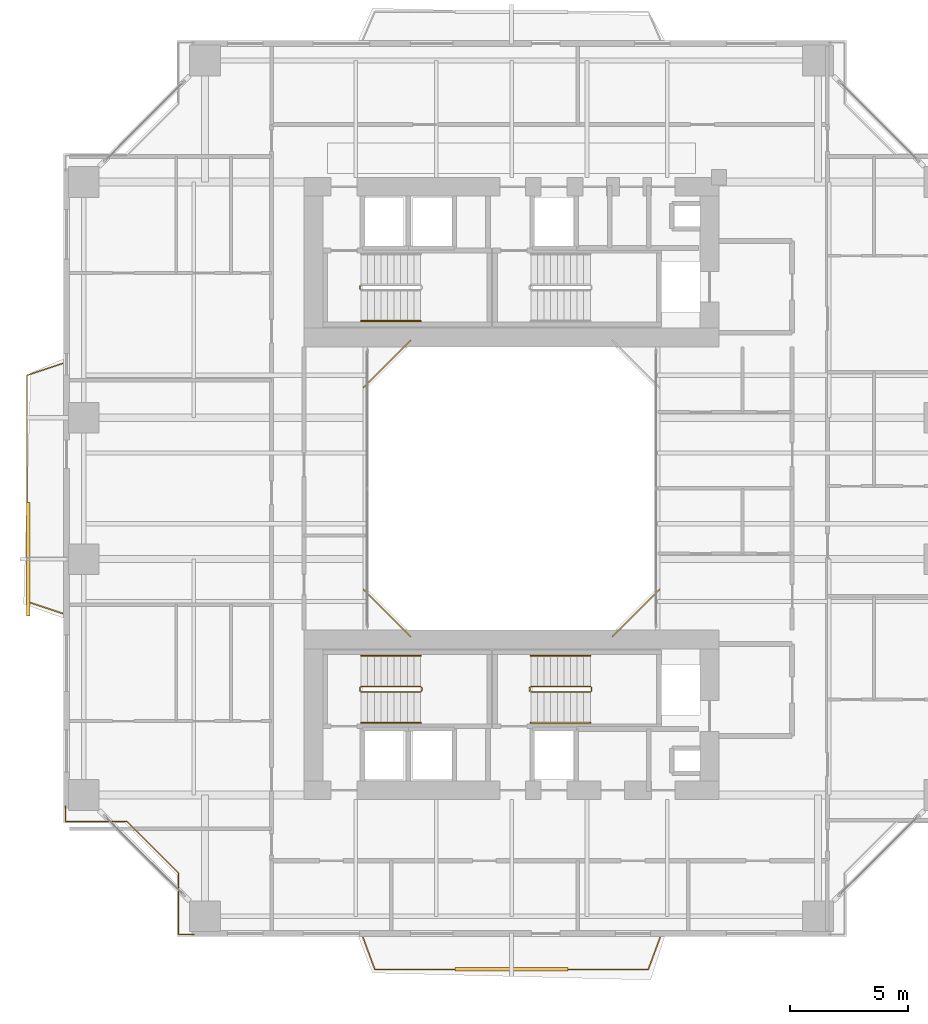
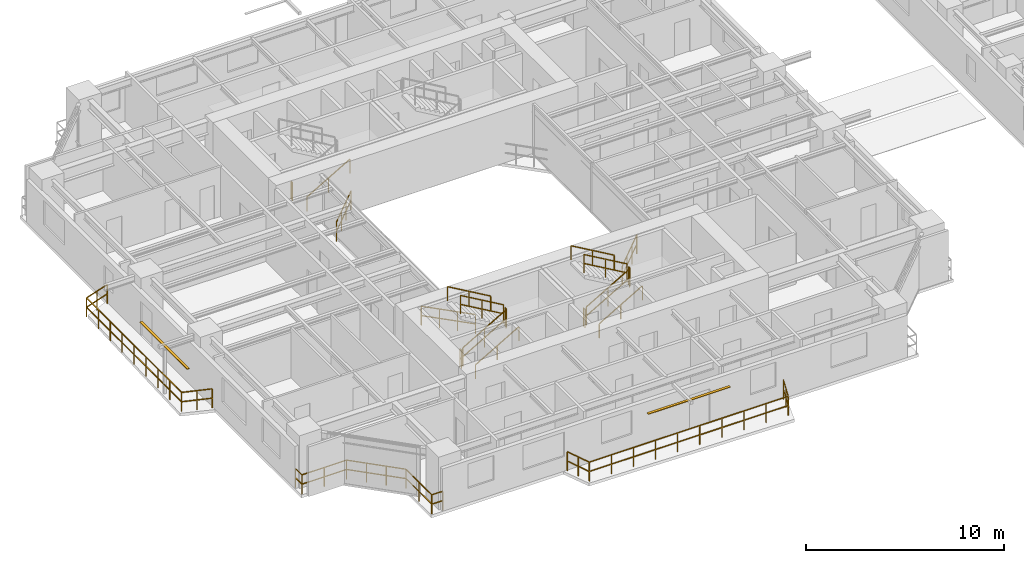
# One storey, part 19 of 23: 20 railings, 2 shading devices.
"""IFC4 building model written with IfcOpenShell, lengths in metres."""

from ifc_helpers import new_model, si_unit, direction, frame, origin, origin_2d, place, context, subcontext, project, spatial, rectangle, extrude, source, transform, mapped, material, material_profile, profile_set, type_object, element, save


model = new_model("IFC4")

# Units and contexts
model_context = context("Model", 3, precision=1e-05, world=origin(), true_north=direction((0.0, 1.0)))
body_context = subcontext(model_context, "Body", "Model", "MODEL_VIEW")
ifc_project = project(units=[si_unit("LENGTHUNIT", "METRE"), si_unit("AREAUNIT", "SQUARE_METRE"), si_unit("VOLUMEUNIT", "CUBIC_METRE"), si_unit("PLANEANGLEUNIT", "RADIAN"), si_unit("MASSUNIT", "GRAM", prefix="KILO"), si_unit("THERMODYNAMICTEMPERATUREUNIT", "KELVIN"), si_unit("POWERUNIT", "WATT")], contexts=[model_context])

# Site, building, storey
site_placement = place(None, origin())
site = spatial("IfcSite", under=ifc_project, at=site_placement, CompositionType="ELEMENT")
building_placement = place(site_placement, origin())
building = spatial("IfcBuilding", under=site, at=building_placement, Name="Qiaomeng Ring Towers", CompositionType="ELEMENT")
storey_placement = place(building_placement, frame((0.0, 0.0, 50.25)))
storey = spatial("IfcBuildingStorey", under=building, at=storey_placement, Name="L13", CompositionType="ELEMENT", Elevation=50.25)

# Railings
ifc_material_1 = material(Name="Low-E pale-green laminated safety glass", Category="glass")
railing_type_1 = type_object("IfcRailingType", Name="ARC-RL-BAL1", PredefinedType="BALUSTRADE", material=ifc_material_1)
railing_1_placement = place(storey_placement, frame((23.280029296875, 16.719970703125, 0.0)))
element("IfcRailing", 1, at=railing_1_placement, inside=storey, type_object=railing_type_1, Name="L13 Balustrade ARC-BAL-WELL1-L13-1", PredefinedType="BALUSTRADE", context=body_context, shape_type="SweptSolid", body=[
    extrude(rectangle(XDim=0.048095703125, YDim=0.048095703125, at=origin_2d()), frame((0.0, 0.0, 1.17578125), z_axis=(0.707106781187, 0.707106781187, 0.0), x_axis=(-0.707106781187, 0.707106781187, 0.0)), (0.0, 0.0, 1.0), 2.828369140625),
    extrude(rectangle(XDim=0.048095703125, YDim=0.048095703125, at=origin_2d()), frame((0.0, 0.0, 0.60009765625), z_axis=(0.707106781187, 0.707106781187, 0.0), x_axis=(-0.707106781187, 0.707106781187, 0.0)), (0.0, 0.0, 1.0), 2.828369140625),
    extrude(rectangle(XDim=0.0419921875, YDim=0.0419921875, at=origin_2d()), origin(), (0.0, 0.0, 1.0), 1.15185546875),
    extrude(rectangle(XDim=0.0419921875, YDim=0.0419921875, at=origin_2d()), frame((0.666748046875, 0.666748046875, 0.0)), (0.0, 0.0, 1.0), 1.15185546875),
    extrude(rectangle(XDim=0.0419921875, YDim=0.0419921875, at=origin_2d()), frame((1.333251953125, 1.333251953125, 0.0)), (0.0, 0.0, 1.0), 1.15185546875),
    extrude(rectangle(XDim=0.0419921875, YDim=0.0419921875, at=origin_2d()), frame((2.0, 2.0, 0.0)), (0.0, 0.0, 1.0), 1.15185546875),
])
railing_2_placement = place(storey_placement, frame((14.719970703125, 29.280029296875, 0.0)))
element("IfcRailing", 2, at=railing_2_placement, inside=storey, type_object=railing_type_1, Name="L13 Balustrade ARC-BAL-WELL1-L13-3", PredefinedType="BALUSTRADE", context=body_context, shape_type="SweptSolid", body=[
    extrude(rectangle(XDim=0.048095703125, YDim=0.048095703125, at=origin_2d()), frame((0.0, 0.0, 1.17578125), z_axis=(-0.707106781187, -0.707106781187, 0.0), x_axis=(0.707106781187, -0.707106781187, 0.0)), (0.0, 0.0, 1.0), 2.828369140625),
    extrude(rectangle(XDim=0.048095703125, YDim=0.048095703125, at=origin_2d()), frame((0.0, 0.0, 0.60009765625), z_axis=(-0.707106781187, -0.707106781187, 0.0), x_axis=(0.707106781187, -0.707106781187, 0.0)), (0.0, 0.0, 1.0), 2.828369140625),
    extrude(rectangle(XDim=0.0419921875, YDim=0.0419921875, at=origin_2d()), origin(), (0.0, 0.0, 1.0), 1.15185546875),
    extrude(rectangle(XDim=0.0419921875, YDim=0.0419921875, at=origin_2d()), frame((-0.666748046875, -0.666748046875, 0.0)), (0.0, 0.0, 1.0), 1.15185546875),
    extrude(rectangle(XDim=0.0419921875, YDim=0.0419921875, at=origin_2d()), frame((-1.333251953125, -1.333251953125, 0.0)), (0.0, 0.0, 1.0), 1.15185546875),
    extrude(rectangle(XDim=0.0419921875, YDim=0.0419921875, at=origin_2d()), frame((-2.0, -2.0, 0.0)), (0.0, 0.0, 1.0), 1.15185546875),
])
railing_3_placement = place(storey_placement, frame((12.719970703125, 18.719970703125, 0.0)))
element("IfcRailing", 3, at=railing_3_placement, inside=storey, type_object=railing_type_1, Name="L13 Balustrade ARC-BAL-WELL1-L13-4", PredefinedType="BALUSTRADE", context=body_context, shape_type="SweptSolid", body=[
    extrude(rectangle(XDim=0.048095703125, YDim=0.048095703125, at=origin_2d()), frame((0.0, 0.0, 1.17578125), z_axis=(0.707106781187, -0.707106781187, 0.0), x_axis=(0.707106781187, 0.707106781187, 0.0)), (0.0, 0.0, 1.0), 2.828369140625),
    extrude(rectangle(XDim=0.048095703125, YDim=0.048095703125, at=origin_2d()), frame((0.0, 0.0, 0.60009765625), z_axis=(0.707106781187, -0.707106781187, 0.0), x_axis=(0.707106781187, 0.707106781187, 0.0)), (0.0, 0.0, 1.0), 2.828369140625),
    extrude(rectangle(XDim=0.0419921875, YDim=0.0419921875, at=origin_2d()), origin(), (0.0, 0.0, 1.0), 1.15185546875),
    extrude(rectangle(XDim=0.0419921875, YDim=0.0419921875, at=origin_2d()), frame((0.666748046875, -0.666748046875, 0.0)), (0.0, 0.0, 1.0), 1.15185546875),
    extrude(rectangle(XDim=0.0419921875, YDim=0.0419921875, at=origin_2d()), frame((1.333251953125, -1.333251953125, 0.0)), (0.0, 0.0, 1.0), 1.15185546875),
    extrude(rectangle(XDim=0.0419921875, YDim=0.0419921875, at=origin_2d()), frame((2.0, -2.0, 0.0)), (0.0, 0.0, 1.0), 1.15185546875),
])
railing_4_placement = place(storey_placement, frame((0.080078125, 9.530029296875, 0.0)))
element("IfcRailing", 4, at=railing_4_placement, inside=storey, type_object=railing_type_1, Name="L13 Balustrade ARC-BAL-NOTCH1-L13-SW", PredefinedType="BALUSTRADE", context=body_context, shape_type="SweptSolid", body=[
    extrude(rectangle(XDim=0.048095703125, YDim=0.048095703125, at=origin_2d()), frame((0.0, 0.0, 1.17578125), z_axis=(0.0, -1.0, 0.0), x_axis=(1.0, 0.0, 0.0)), (0.0, 0.0, 1.0), 0.650146484375),
    extrude(rectangle(XDim=0.048095703125, YDim=0.048095703125, at=origin_2d()), frame((0.0, 0.0, 0.60009765625), z_axis=(0.0, -1.0, 0.0), x_axis=(1.0, 0.0, 0.0)), (0.0, 0.0, 1.0), 0.650146484375),
    extrude(rectangle(XDim=0.048095703125, YDim=0.048095703125, at=origin_2d()), frame((0.0, -0.650146484375, 1.17578125), z_axis=(1.0, 0.0, 0.0), x_axis=(0.0, 1.0, 0.0)), (0.0, 0.0, 1.0), 2.599853515625),
    extrude(rectangle(XDim=0.048095703125, YDim=0.048095703125, at=origin_2d()), frame((0.0, -0.650146484375, 0.60009765625), z_axis=(1.0, 0.0, 0.0), x_axis=(0.0, 1.0, 0.0)), (0.0, 0.0, 1.0), 2.599853515625),
    extrude(rectangle(XDim=0.048095703125, YDim=0.048095703125, at=origin_2d()), frame((2.599853515625, -0.650146484375, 1.17578125), z_axis=(0.707106781187, -0.707106781187, 0.0), x_axis=(0.707106781187, 0.707106781187, 0.0)), (0.0, 0.0, 1.0), 3.111083984375),
    extrude(rectangle(XDim=0.048095703125, YDim=0.048095703125, at=origin_2d()), frame((2.599853515625, -0.650146484375, 0.60009765625), z_axis=(0.707106781187, -0.707106781187, 0.0), x_axis=(0.707106781187, 0.707106781187, 0.0)), (0.0, 0.0, 1.0), 3.111083984375),
    extrude(rectangle(XDim=0.048095703125, YDim=0.048095703125, at=origin_2d()), frame((4.7998046875, -2.85009765625, 1.17578125), z_axis=(0.0, -1.0, 0.0), x_axis=(1.0, 0.0, 0.0)), (0.0, 0.0, 1.0), 2.599853515625),
    extrude(rectangle(XDim=0.048095703125, YDim=0.048095703125, at=origin_2d()), frame((4.7998046875, -2.85009765625, 0.60009765625), z_axis=(0.0, -1.0, 0.0), x_axis=(1.0, 0.0, 0.0)), (0.0, 0.0, 1.0), 2.599853515625),
    extrude(rectangle(XDim=0.048095703125, YDim=0.048095703125, at=origin_2d()), frame((4.7998046875, -5.449951171875, 1.17578125), z_axis=(1.0, 0.0, 0.0), x_axis=(0.0, 1.0, 0.0)), (0.0, 0.0, 1.0), 0.650146484375),
    extrude(rectangle(XDim=0.048095703125, YDim=0.048095703125, at=origin_2d()), frame((4.7998046875, -5.449951171875, 0.60009765625), z_axis=(1.0, 0.0, 0.0), x_axis=(0.0, 1.0, 0.0)), (0.0, 0.0, 1.0), 0.650146484375),
    extrude(rectangle(XDim=0.0419921875, YDim=0.0419921875, at=origin_2d()), origin(), (0.0, 0.0, 1.0), 1.15185546875),
    extrude(rectangle(XDim=0.0419921875, YDim=0.0419921875, at=origin_2d()), frame((0.0, -0.650146484375, 0.0)), (0.0, 0.0, 1.0), 1.15185546875),
    extrude(rectangle(XDim=0.0419921875, YDim=0.0419921875, at=origin_2d()), frame((1.2998046875, -0.650146484375, 0.0)), (0.0, 0.0, 1.0), 1.15185546875),
    extrude(rectangle(XDim=0.0419921875, YDim=0.0419921875, at=origin_2d()), frame((2.599853515625, -0.650146484375, 0.0)), (0.0, 0.0, 1.0), 1.15185546875),
    extrude(rectangle(XDim=0.0419921875, YDim=0.0419921875, at=origin_2d()), frame((3.333251953125, -1.383544921875, 0.0)), (0.0, 0.0, 1.0), 1.15185546875),
    extrude(rectangle(XDim=0.0419921875, YDim=0.0419921875, at=origin_2d()), frame((4.06640625, -2.11669921875, 0.0)), (0.0, 0.0, 1.0), 1.15185546875),
    extrude(rectangle(XDim=0.0419921875, YDim=0.0419921875, at=origin_2d()), frame((4.7998046875, -2.85009765625, 0.0)), (0.0, 0.0, 1.0), 1.15185546875),
    extrude(rectangle(XDim=0.0419921875, YDim=0.0419921875, at=origin_2d()), frame((4.7998046875, -4.14990234375, 0.0)), (0.0, 0.0, 1.0), 1.15185546875),
    extrude(rectangle(XDim=0.0419921875, YDim=0.0419921875, at=origin_2d()), frame((4.7998046875, -5.449951171875, 0.0)), (0.0, 0.0, 1.0), 1.15185546875),
    extrude(rectangle(XDim=0.0419921875, YDim=0.0419921875, at=origin_2d()), frame((5.449951171875, -5.449951171875, 0.0)), (0.0, 0.0, 1.0), 1.15185546875),
])
railing_5_placement = place(storey_placement, frame((12.699951171875, 3.949951171875, 0.0)))
element("IfcRailing", 5, at=railing_5_placement, inside=storey, type_object=railing_type_1, Name="L13 Balustrade ARC-BAL-L13-T1-S", PredefinedType="BALUSTRADE", context=body_context, shape_type="SweptSolid", body=[
    extrude(rectangle(XDim=0.048095703125, YDim=0.048095703125, at=origin_2d()), frame((0.0, 0.0, 1.17578125), z_axis=(0.347347498827, -0.937736484871, 0.0), x_axis=(0.937736484871, 0.347347498827, 0.0)), (0.0, 0.0, 1.0), 1.439453125),
    extrude(rectangle(XDim=0.048095703125, YDim=0.048095703125, at=origin_2d()), frame((0.0, 0.0, 0.60009765625), z_axis=(0.347347498827, -0.937736484871, 0.0), x_axis=(0.937736484871, 0.347347498827, 0.0)), (0.0, 0.0, 1.0), 1.439453125),
    extrude(rectangle(XDim=0.048095703125, YDim=0.048095703125, at=origin_2d()), frame((0.5, -1.349853515625, 1.17578125), z_axis=(1.0, 0.0, 0.0), x_axis=(0.0, 1.0, 0.0)), (0.0, 0.0, 1.0), 11.60009765625),
    extrude(rectangle(XDim=0.048095703125, YDim=0.048095703125, at=origin_2d()), frame((0.5, -1.349853515625, 0.60009765625), z_axis=(1.0, 0.0, 0.0), x_axis=(0.0, 1.0, 0.0)), (0.0, 0.0, 1.0), 11.60009765625),
    extrude(rectangle(XDim=0.048095703125, YDim=0.048095703125, at=origin_2d()), frame((12.10009765625, -1.349853515625, 1.17578125), z_axis=(0.347347498827, 0.937736484871, 0.0), x_axis=(-0.937736484871, 0.347347498827, 0.0)), (0.0, 0.0, 1.0), 1.439453125),
    extrude(rectangle(XDim=0.048095703125, YDim=0.048095703125, at=origin_2d()), frame((12.10009765625, -1.349853515625, 0.60009765625), z_axis=(0.347347498827, 0.937736484871, 0.0), x_axis=(-0.937736484871, 0.347347498827, 0.0)), (0.0, 0.0, 1.0), 1.439453125),
    extrude(rectangle(XDim=0.0419921875, YDim=0.0419921875, at=origin_2d()), origin(), (0.0, 0.0, 1.0), 1.15185546875),
    extrude(rectangle(XDim=0.0419921875, YDim=0.0419921875, at=origin_2d()), frame((0.25, -0.6748046875, 0.0)), (0.0, 0.0, 1.0), 1.15185546875),
    extrude(rectangle(XDim=0.0419921875, YDim=0.0419921875, at=origin_2d()), frame((0.5, -1.349853515625, 0.0)), (0.0, 0.0, 1.0), 1.15185546875),
    extrude(rectangle(XDim=0.0419921875, YDim=0.0419921875, at=origin_2d()), frame((1.788818359375, -1.349853515625, 0.0)), (0.0, 0.0, 1.0), 1.15185546875),
    extrude(rectangle(XDim=0.0419921875, YDim=0.0419921875, at=origin_2d()), frame((3.077880859375, -1.349853515625, 0.0)), (0.0, 0.0, 1.0), 1.15185546875),
    extrude(rectangle(XDim=0.0419921875, YDim=0.0419921875, at=origin_2d()), frame((4.36669921875, -1.349853515625, 0.0)), (0.0, 0.0, 1.0), 1.15185546875),
    extrude(rectangle(XDim=0.0419921875, YDim=0.0419921875, at=origin_2d()), frame((5.655517578125, -1.349853515625, 0.0)), (0.0, 0.0, 1.0), 1.15185546875),
    extrude(rectangle(XDim=0.0419921875, YDim=0.0419921875, at=origin_2d()), frame((6.944580078125, -1.349853515625, 0.0)), (0.0, 0.0, 1.0), 1.15185546875),
    extrude(rectangle(XDim=0.0419921875, YDim=0.0419921875, at=origin_2d()), frame((8.2333984375, -1.349853515625, 0.0)), (0.0, 0.0, 1.0), 1.15185546875),
    extrude(rectangle(XDim=0.0419921875, YDim=0.0419921875, at=origin_2d()), frame((9.522216796875, -1.349853515625, 0.0)), (0.0, 0.0, 1.0), 1.15185546875),
    extrude(rectangle(XDim=0.0419921875, YDim=0.0419921875, at=origin_2d()), frame((10.811279296875, -1.349853515625, 0.0)), (0.0, 0.0, 1.0), 1.15185546875),
    extrude(rectangle(XDim=0.0419921875, YDim=0.0419921875, at=origin_2d()), frame((12.10009765625, -1.349853515625, 0.0)), (0.0, 0.0, 1.0), 1.15185546875),
    extrude(rectangle(XDim=0.0419921875, YDim=0.0419921875, at=origin_2d()), frame((12.35009765625, -0.6748046875, 0.0)), (0.0, 0.0, 1.0), 1.15185546875),
    extrude(rectangle(XDim=0.0419921875, YDim=0.0419921875, at=origin_2d()), frame((12.60009765625, 0.0, 0.0)), (0.0, 0.0, 1.0), 1.15185546875),
])
railing_6_placement = place(storey_placement, frame((-0.050048828125, 17.699951171875, 0.0)))
element("IfcRailing", 6, at=railing_6_placement, inside=storey, type_object=railing_type_1, Name="L13 Balustrade ARC-BAL-L13-T1-W", PredefinedType="BALUSTRADE", context=body_context, shape_type="SweptSolid", body=[
    extrude(rectangle(XDim=0.048095703125, YDim=0.048095703125, at=origin_2d()), frame((0.0, 0.0, 1.17578125), z_axis=(-0.948683298051, 0.316227766017, 0.0), x_axis=(-0.316227766017, -0.948683298051, 0.0)), (0.0, 0.0, 1.0), 1.5810546875),
    extrude(rectangle(XDim=0.048095703125, YDim=0.048095703125, at=origin_2d()), frame((0.0, 0.0, 0.60009765625), z_axis=(-0.948683298051, 0.316227766017, 0.0), x_axis=(-0.316227766017, -0.948683298051, 0.0)), (0.0, 0.0, 1.0), 1.5810546875),
    extrude(rectangle(XDim=0.048095703125, YDim=0.048095703125, at=origin_2d()), frame((-1.5, 0.5, 1.17578125), z_axis=(0.0, 1.0, 0.0), x_axis=(-1.0, 0.0, 0.0)), (0.0, 0.0, 1.0), 9.60009765625),
    extrude(rectangle(XDim=0.048095703125, YDim=0.048095703125, at=origin_2d()), frame((-1.5, 0.5, 0.60009765625), z_axis=(0.0, 1.0, 0.0), x_axis=(-1.0, 0.0, 0.0)), (0.0, 0.0, 1.0), 9.60009765625),
    extrude(rectangle(XDim=0.048095703125, YDim=0.048095703125, at=origin_2d()), frame((-1.5, 10.10009765625, 1.17578125), z_axis=(0.948683298051, 0.316227766017, 0.0), x_axis=(-0.316227766017, 0.948683298051, 0.0)), (0.0, 0.0, 1.0), 1.5810546875),
    extrude(rectangle(XDim=0.048095703125, YDim=0.048095703125, at=origin_2d()), frame((-1.5, 10.10009765625, 0.60009765625), z_axis=(0.948683298051, 0.316227766017, 0.0), x_axis=(-0.316227766017, 0.948683298051, 0.0)), (0.0, 0.0, 1.0), 1.5810546875),
    extrude(rectangle(XDim=0.0419921875, YDim=0.0419921875, at=origin_2d()), origin(), (0.0, 0.0, 1.0), 1.15185546875),
    extrude(rectangle(XDim=0.0419921875, YDim=0.0419921875, at=origin_2d()), frame((-0.75, 0.25, 0.0)), (0.0, 0.0, 1.0), 1.15185546875),
    extrude(rectangle(XDim=0.0419921875, YDim=0.0419921875, at=origin_2d()), frame((-1.5, 0.5, 0.0)), (0.0, 0.0, 1.0), 1.15185546875),
    extrude(rectangle(XDim=0.0419921875, YDim=0.0419921875, at=origin_2d()), frame((-1.5, 1.699951171875, 0.0)), (0.0, 0.0, 1.0), 1.15185546875),
    extrude(rectangle(XDim=0.0419921875, YDim=0.0419921875, at=origin_2d()), frame((-1.5, 2.89990234375, 0.0)), (0.0, 0.0, 1.0), 1.15185546875),
    extrude(rectangle(XDim=0.0419921875, YDim=0.0419921875, at=origin_2d()), frame((-1.5, 4.10009765625, 0.0)), (0.0, 0.0, 1.0), 1.15185546875),
    extrude(rectangle(XDim=0.0419921875, YDim=0.0419921875, at=origin_2d()), frame((-1.5, 5.300048828125, 0.0)), (0.0, 0.0, 1.0), 1.15185546875),
    extrude(rectangle(XDim=0.0419921875, YDim=0.0419921875, at=origin_2d()), frame((-1.5, 6.5, 0.0)), (0.0, 0.0, 1.0), 1.15185546875),
    extrude(rectangle(XDim=0.0419921875, YDim=0.0419921875, at=origin_2d()), frame((-1.5, 7.7001953125, 0.0)), (0.0, 0.0, 1.0), 1.15185546875),
    extrude(rectangle(XDim=0.0419921875, YDim=0.0419921875, at=origin_2d()), frame((-1.5, 8.900146484375, 0.0)), (0.0, 0.0, 1.0), 1.15185546875),
    extrude(rectangle(XDim=0.0419921875, YDim=0.0419921875, at=origin_2d()), frame((-1.5, 10.10009765625, 0.0)), (0.0, 0.0, 1.0), 1.15185546875),
    extrude(rectangle(XDim=0.0419921875, YDim=0.0419921875, at=origin_2d()), frame((-0.75, 10.35009765625, 0.0)), (0.0, 0.0, 1.0), 1.15185546875),
    extrude(rectangle(XDim=0.0419921875, YDim=0.0419921875, at=origin_2d()), frame((0.0, 10.60009765625, 0.0)), (0.0, 0.0, 1.0), 1.15185546875),
])
ifc_material_2 = material(Name="Galvanised steel", Category="steel")
railing_type_2 = type_object("IfcRailingType", Name="ARC-RL-GUARD", PredefinedType="GUARDRAIL", material=ifc_material_2)
railing_7_placement = place(storey_placement, frame((12.570068359375, 31.449951171875, 0.0)))
element("IfcRailing", 7, at=railing_7_placement, inside=storey, type_object=railing_type_2, Name="L13 ST1 stair guard 4", PredefinedType="GUARDRAIL", context=body_context, shape_type="SweptSolid", body=[
    extrude(rectangle(XDim=0.048095703125, YDim=0.048095703125, at=origin_2d()), frame((0.0, 0.0, 1.1259765625), z_axis=(0.0, 1.0, 0.0), x_axis=(-1.0, 0.0, 0.0)), (0.0, 0.0, 1.0), 0.14013671875),
    extrude(rectangle(XDim=0.048095703125, YDim=0.048095703125, at=origin_2d()), frame((0.0, 0.0, 0.574951171875), z_axis=(0.0, 1.0, 0.0), x_axis=(-1.0, 0.0, 0.0)), (0.0, 0.0, 1.0), 0.14013671875),
    extrude(rectangle(XDim=0.0419921875, YDim=0.0419921875, at=origin_2d()), origin(), (0.0, 0.0, 1.0), 1.101806640625),
    extrude(rectangle(XDim=0.0419921875, YDim=0.0419921875, at=origin_2d()), frame((0.0, 0.14013671875, 0.0)), (0.0, 0.0, 1.0), 1.101806640625),
])
railing_8_placement = place(storey_placement, frame((12.6201171875, 14.360107421875, 0.16259765625)))
element("IfcRailing", 8, at=railing_8_placement, inside=storey, type_object=railing_type_2, Name="L13 ST3 stair guard 1", PredefinedType="GUARDRAIL", context=body_context, shape_type="SweptSolid", body=[
    extrude(rectangle(XDim=0.048095703125, YDim=0.048095703125, at=origin_2d()), frame((0.0, 0.0, 1.1259765625), z_axis=(0.864892226395, 0.0, 0.501957604506), x_axis=(0.0, 1.0, 0.0)), (0.0, 0.0, 1.0), 2.913330078125),
    extrude(rectangle(XDim=0.048095703125, YDim=0.048095703125, at=origin_2d()), frame((0.0, 0.0, 0.574951171875), z_axis=(0.864892226395, 0.0, 0.501957604506), x_axis=(0.0, 1.0, 0.0)), (0.0, 0.0, 1.0), 2.913330078125),
    extrude(rectangle(XDim=0.0419921875, YDim=0.0419921875, at=origin_2d()), origin(), (0.0, 0.0, 1.0), 1.101806640625),
    extrude(rectangle(XDim=0.0419921875, YDim=0.0419921875, at=origin_2d()), frame((1.259765625, 0.0, 0.731201171875)), (0.0, 0.0, 1.0), 1.101806640625),
    extrude(rectangle(XDim=0.0419921875, YDim=0.0419921875, at=origin_2d()), frame((2.519775390625, 0.0, 1.46240234375)), (0.0, 0.0, 1.0), 1.101806640625),
])
railing_9_placement = place(storey_placement, frame((15.18994140625, 14.409912109375, 1.625)))
element("IfcRailing", 9, at=railing_9_placement, inside=storey, type_object=railing_type_2, Name="L13 ST3 stair guard 2", PredefinedType="GUARDRAIL", context=body_context, shape_type="SweptSolid", body=[
    extrude(rectangle(XDim=0.048095703125, YDim=0.048095703125, at=origin_2d()), frame((0.0, 0.0, 1.1259765625), z_axis=(0.0, 1.0, 0.0), x_axis=(-1.0, 0.0, 0.0)), (0.0, 0.0, 1.0), 0.14013671875),
    extrude(rectangle(XDim=0.048095703125, YDim=0.048095703125, at=origin_2d()), frame((0.0, 0.0, 0.574951171875), z_axis=(0.0, 1.0, 0.0), x_axis=(-1.0, 0.0, 0.0)), (0.0, 0.0, 1.0), 0.14013671875),
    extrude(rectangle(XDim=0.0419921875, YDim=0.0419921875, at=origin_2d()), origin(), (0.0, 0.0, 1.0), 1.101806640625),
    extrude(rectangle(XDim=0.0419921875, YDim=0.0419921875, at=origin_2d()), frame((0.0, 0.14013671875, 0.0)), (0.0, 0.0, 1.0), 1.101806640625),
])
railing_10_placement = place(storey_placement, frame((15.139892578125, 14.60009765625, 1.78759765625)))
element("IfcRailing", 10, at=railing_10_placement, inside=storey, type_object=railing_type_2, Name="L13 ST3 stair guard 3", PredefinedType="GUARDRAIL", context=body_context, shape_type="SweptSolid", body=[
    extrude(rectangle(XDim=0.048095703125, YDim=0.048095703125, at=origin_2d()), frame((0.0, 0.0, 1.1259765625), z_axis=(-0.864892226395, 0.0, 0.501957604506), x_axis=(0.0, -1.0, 0.0)), (0.0, 0.0, 1.0), 2.913330078125),
    extrude(rectangle(XDim=0.048095703125, YDim=0.048095703125, at=origin_2d()), frame((0.0, 0.0, 0.574951171875), z_axis=(-0.864892226395, 0.0, 0.501957604506), x_axis=(0.0, -1.0, 0.0)), (0.0, 0.0, 1.0), 2.913330078125),
    extrude(rectangle(XDim=0.0419921875, YDim=0.0419921875, at=origin_2d()), origin(), (0.0, 0.0, 1.0), 1.101806640625),
    extrude(rectangle(XDim=0.0419921875, YDim=0.0419921875, at=origin_2d()), frame((-1.259765625, 0.0, 0.731201171875)), (0.0, 0.0, 1.0), 1.101806640625),
    extrude(rectangle(XDim=0.0419921875, YDim=0.0419921875, at=origin_2d()), frame((-2.519775390625, 0.0, 1.46240234375)), (0.0, 0.0, 1.0), 1.101806640625),
])
railing_11_placement = place(storey_placement, frame((12.570068359375, 14.409912109375, 0.0)))
element("IfcRailing", 11, at=railing_11_placement, inside=storey, type_object=railing_type_2, Name="L13 ST3 stair guard 4", PredefinedType="GUARDRAIL", context=body_context, shape_type="SweptSolid", body=[
    extrude(rectangle(XDim=0.048095703125, YDim=0.048095703125, at=origin_2d()), frame((0.0, 0.0, 1.1259765625), z_axis=(0.0, 1.0, 0.0), x_axis=(-1.0, 0.0, 0.0)), (0.0, 0.0, 1.0), 0.14013671875),
    extrude(rectangle(XDim=0.048095703125, YDim=0.048095703125, at=origin_2d()), frame((0.0, 0.0, 0.574951171875), z_axis=(0.0, 1.0, 0.0), x_axis=(-1.0, 0.0, 0.0)), (0.0, 0.0, 1.0), 0.14013671875),
    extrude(rectangle(XDim=0.0419921875, YDim=0.0419921875, at=origin_2d()), origin(), (0.0, 0.0, 1.0), 1.101806640625),
    extrude(rectangle(XDim=0.0419921875, YDim=0.0419921875, at=origin_2d()), frame((0.0, 0.14013671875, 0.0)), (0.0, 0.0, 1.0), 1.101806640625),
])
railing_12_placement = place(storey_placement, frame((19.820068359375, 14.360107421875, 0.16259765625)))
element("IfcRailing", 12, at=railing_12_placement, inside=storey, type_object=railing_type_2, Name="L13 ST4 stair guard 1", PredefinedType="GUARDRAIL", context=body_context, shape_type="SweptSolid", body=[
    extrude(rectangle(XDim=0.048095703125, YDim=0.048095703125, at=origin_2d()), frame((0.0, 0.0, 1.1259765625), z_axis=(0.864913338283, 0.0, 0.50192122615), x_axis=(0.0, 1.0, 0.0)), (0.0, 0.0, 1.0), 2.91357421875),
    extrude(rectangle(XDim=0.048095703125, YDim=0.048095703125, at=origin_2d()), frame((0.0, 0.0, 0.574951171875), z_axis=(0.864913338283, 0.0, 0.50192122615), x_axis=(0.0, 1.0, 0.0)), (0.0, 0.0, 1.0), 2.91357421875),
    extrude(rectangle(XDim=0.0419921875, YDim=0.0419921875, at=origin_2d()), origin(), (0.0, 0.0, 1.0), 1.101806640625),
    extrude(rectangle(XDim=0.0419921875, YDim=0.0419921875, at=origin_2d()), frame((1.260009765625, 0.0, 0.731201171875)), (0.0, 0.0, 1.0), 1.101806640625),
    extrude(rectangle(XDim=0.0419921875, YDim=0.0419921875, at=origin_2d()), frame((2.52001953125, 0.0, 1.46240234375)), (0.0, 0.0, 1.0), 1.101806640625),
])
railing_13_placement = place(storey_placement, frame((22.389892578125, 14.409912109375, 1.625)))
element("IfcRailing", 13, at=railing_13_placement, inside=storey, type_object=railing_type_2, Name="L13 ST4 stair guard 2", PredefinedType="GUARDRAIL", context=body_context, shape_type="SweptSolid", body=[
    extrude(rectangle(XDim=0.048095703125, YDim=0.048095703125, at=origin_2d()), frame((0.0, 0.0, 1.1259765625), z_axis=(0.0, 1.0, 0.0), x_axis=(-1.0, 0.0, 0.0)), (0.0, 0.0, 1.0), 0.14013671875),
    extrude(rectangle(XDim=0.048095703125, YDim=0.048095703125, at=origin_2d()), frame((0.0, 0.0, 0.574951171875), z_axis=(0.0, 1.0, 0.0), x_axis=(-1.0, 0.0, 0.0)), (0.0, 0.0, 1.0), 0.14013671875),
    extrude(rectangle(XDim=0.0419921875, YDim=0.0419921875, at=origin_2d()), origin(), (0.0, 0.0, 1.0), 1.101806640625),
    extrude(rectangle(XDim=0.0419921875, YDim=0.0419921875, at=origin_2d()), frame((0.0, 0.14013671875, 0.0)), (0.0, 0.0, 1.0), 1.101806640625),
])
railing_14_placement = place(storey_placement, frame((22.340087890625, 14.60009765625, 1.78759765625)))
element("IfcRailing", 14, at=railing_14_placement, inside=storey, type_object=railing_type_2, Name="L13 ST4 stair guard 3", PredefinedType="GUARDRAIL", context=body_context, shape_type="SweptSolid", body=[
    extrude(rectangle(XDim=0.048095703125, YDim=0.048095703125, at=origin_2d()), frame((0.0, 0.0, 1.1259765625), z_axis=(-0.864913338283, 0.0, 0.50192122615), x_axis=(0.0, -1.0, 0.0)), (0.0, 0.0, 1.0), 2.91357421875),
    extrude(rectangle(XDim=0.048095703125, YDim=0.048095703125, at=origin_2d()), frame((0.0, 0.0, 0.574951171875), z_axis=(-0.864913338283, 0.0, 0.50192122615), x_axis=(0.0, -1.0, 0.0)), (0.0, 0.0, 1.0), 2.91357421875),
    extrude(rectangle(XDim=0.0419921875, YDim=0.0419921875, at=origin_2d()), origin(), (0.0, 0.0, 1.0), 1.101806640625),
    extrude(rectangle(XDim=0.0419921875, YDim=0.0419921875, at=origin_2d()), frame((-1.260009765625, 0.0, 0.731201171875)), (0.0, 0.0, 1.0), 1.101806640625),
    extrude(rectangle(XDim=0.0419921875, YDim=0.0419921875, at=origin_2d()), frame((-2.52001953125, 0.0, 1.46240234375)), (0.0, 0.0, 1.0), 1.101806640625),
])
railing_15_placement = place(storey_placement, frame((19.77001953125, 14.409912109375, 0.0)))
element("IfcRailing", 15, at=railing_15_placement, inside=storey, type_object=railing_type_2, Name="L13 ST4 stair guard 4", PredefinedType="GUARDRAIL", context=body_context, shape_type="SweptSolid", body=[
    extrude(rectangle(XDim=0.048095703125, YDim=0.048095703125, at=origin_2d()), frame((0.0, 0.0, 1.1259765625), z_axis=(0.0, 1.0, 0.0), x_axis=(-1.0, 0.0, 0.0)), (0.0, 0.0, 1.0), 0.14013671875),
    extrude(rectangle(XDim=0.048095703125, YDim=0.048095703125, at=origin_2d()), frame((0.0, 0.0, 0.574951171875), z_axis=(0.0, 1.0, 0.0), x_axis=(-1.0, 0.0, 0.0)), (0.0, 0.0, 1.0), 0.14013671875),
    extrude(rectangle(XDim=0.0419921875, YDim=0.0419921875, at=origin_2d()), origin(), (0.0, 0.0, 1.0), 1.101806640625),
    extrude(rectangle(XDim=0.0419921875, YDim=0.0419921875, at=origin_2d()), frame((0.0, 0.14013671875, 0.0)), (0.0, 0.0, 1.0), 1.101806640625),
])
ifc_material_3 = material(Name="Stainless steel 316", Category="steel")
railing_type_3 = type_object("IfcRailingType", Name="ARC-RL-HAND", PredefinedType="HANDRAIL", material=ifc_material_3)
for number, where, name in (
    (16, (12.6201171875, 30.10009765625, 0.16259765625), "L13 ST1 stair handrail 1"),
    (17, (12.6201171875, 13.06005859375, 0.16259765625), "L13 ST3 stair handrail 1"),
):
    element("IfcRailing", number, at=place(storey_placement, frame(where)), inside=storey, type_object=railing_type_3, Name=name, PredefinedType="HANDRAIL", context=body_context, shape_type="SweptSolid", body=[
        extrude(rectangle(XDim=0.048095703125, YDim=0.048095703125, at=origin_2d()), frame((0.0, 0.0, 0.8759765625), z_axis=(0.864892226395, 0.0, 0.501957604506), x_axis=(0.0, 1.0, 0.0)), (0.0, 0.0, 1.0), 2.913330078125),
        extrude(rectangle(XDim=0.0419921875, YDim=0.0419921875, at=origin_2d()), origin(), (0.0, 0.0, 1.0), 0.851806640625),
        extrude(rectangle(XDim=0.0419921875, YDim=0.0419921875, at=origin_2d()), frame((1.259765625, 0.0, 0.731201171875)), (0.0, 0.0, 1.0), 0.851806640625),
        extrude(rectangle(XDim=0.0419921875, YDim=0.0419921875, at=origin_2d()), frame((2.519775390625, 0.0, 1.46240234375)), (0.0, 0.0, 1.0), 0.851806640625),
    ])
railing_16_placement = place(storey_placement, frame((15.139892578125, 15.89990234375, 1.78759765625)))
element("IfcRailing", 18, at=railing_16_placement, inside=storey, type_object=railing_type_3, Name="L13 ST3 stair handrail 2", PredefinedType="HANDRAIL", context=body_context, shape_type="SweptSolid", body=[
    extrude(rectangle(XDim=0.048095703125, YDim=0.048095703125, at=origin_2d()), frame((0.0, 0.0, 0.8759765625), z_axis=(-0.864892226395, 0.0, 0.501957604506), x_axis=(0.0, -1.0, 0.0)), (0.0, 0.0, 1.0), 2.913330078125),
    extrude(rectangle(XDim=0.0419921875, YDim=0.0419921875, at=origin_2d()), origin(), (0.0, 0.0, 1.0), 0.851806640625),
    extrude(rectangle(XDim=0.0419921875, YDim=0.0419921875, at=origin_2d()), frame((-1.259765625, 0.0, 0.731201171875)), (0.0, 0.0, 1.0), 0.851806640625),
    extrude(rectangle(XDim=0.0419921875, YDim=0.0419921875, at=origin_2d()), frame((-2.519775390625, 0.0, 1.46240234375)), (0.0, 0.0, 1.0), 0.851806640625),
])
railing_17_placement = place(storey_placement, frame((19.820068359375, 13.06005859375, 0.16259765625)))
element("IfcRailing", 19, at=railing_17_placement, inside=storey, type_object=railing_type_3, Name="L13 ST4 stair handrail 1", PredefinedType="HANDRAIL", context=body_context, shape_type="SweptSolid", body=[
    extrude(rectangle(XDim=0.048095703125, YDim=0.048095703125, at=origin_2d()), frame((0.0, 0.0, 0.8759765625), z_axis=(0.864913338283, 0.0, 0.50192122615), x_axis=(0.0, 1.0, 0.0)), (0.0, 0.0, 1.0), 2.91357421875),
    extrude(rectangle(XDim=0.0419921875, YDim=0.0419921875, at=origin_2d()), origin(), (0.0, 0.0, 1.0), 0.851806640625),
    extrude(rectangle(XDim=0.0419921875, YDim=0.0419921875, at=origin_2d()), frame((1.260009765625, 0.0, 0.731201171875)), (0.0, 0.0, 1.0), 0.851806640625),
    extrude(rectangle(XDim=0.0419921875, YDim=0.0419921875, at=origin_2d()), frame((2.52001953125, 0.0, 1.46240234375)), (0.0, 0.0, 1.0), 0.851806640625),
])
railing_18_placement = place(storey_placement, frame((22.340087890625, 15.89990234375, 1.78759765625)))
element("IfcRailing", 20, at=railing_18_placement, inside=storey, type_object=railing_type_3, Name="L13 ST4 stair handrail 2", PredefinedType="HANDRAIL", context=body_context, shape_type="SweptSolid", body=[
    extrude(rectangle(XDim=0.048095703125, YDim=0.048095703125, at=origin_2d()), frame((0.0, 0.0, 0.8759765625), z_axis=(-0.864913338283, 0.0, 0.50192122615), x_axis=(0.0, -1.0, 0.0)), (0.0, 0.0, 1.0), 2.91357421875),
    extrude(rectangle(XDim=0.0419921875, YDim=0.0419921875, at=origin_2d()), origin(), (0.0, 0.0, 1.0), 0.851806640625),
    extrude(rectangle(XDim=0.0419921875, YDim=0.0419921875, at=origin_2d()), frame((-1.260009765625, 0.0, 0.731201171875)), (0.0, 0.0, 1.0), 0.851806640625),
    extrude(rectangle(XDim=0.0419921875, YDim=0.0419921875, at=origin_2d()), frame((-2.52001953125, 0.0, 1.46240234375)), (0.0, 0.0, 1.0), 0.851806640625),
])

# Shading devices
ifc_material_4 = material(Name="Fluorocarbon dark-grey aluminium", Category="aluminium")
ifc_material_profile = material_profile(ifc_material_4, rectangle(XDim=0.14990234375, YDim=0.034912109375, at=origin_2d()), Name="LV BLADE 150x35")
ifc_profile_set = profile_set([ifc_material_profile], Name="Fluorocarbon dark-grey aluminium")
shading_device_type = type_object("IfcShadingDeviceType", Name="ARC-SHD-SUN", PredefinedType="AWNING", material=ifc_profile_set)
shared_shape = source(origin(), body_context, "Body", "SweptSolid", [
    extrude(rectangle(XDim=0.14990234375, YDim=0.034912109375, at=origin_2d()), origin(), (0.0, 0.0, 1.0), 4.7998046875),
])
for number, where, z_axis, x_axis, name in (
    (21, (16.60009765625, 2.60009765625, 2.969970703125), (1.0, 0.0, 0.0), (0.0, 1.0, 0.0), "L13 Ventilated Outer-Skin Sunshade S"),
    (22, (-1.5, 17.60009765625, 2.969970703125), (0.0, 1.0, 0.0), (-1.0, 0.0, 0.0), "L13 Ventilated Outer-Skin Sunshade W"),
):
    element("IfcShadingDevice", number, at=place(storey_placement, frame(where, z_axis=z_axis, x_axis=x_axis)), inside=storey, type_object=shading_device_type, Name=name, PredefinedType="AWNING", context=body_context, shape_type="MappedRepresentation", body=[
        mapped(shared_shape, transform((0.0, 0.0, 0.0), x_axis=(1.0, 0.0, 0.0), y_axis=(0.0, 1.0, 0.0), z_axis=(0.0, 0.0, 1.0), scale=1.0)),
    ])

save(model, "model.ifc")
